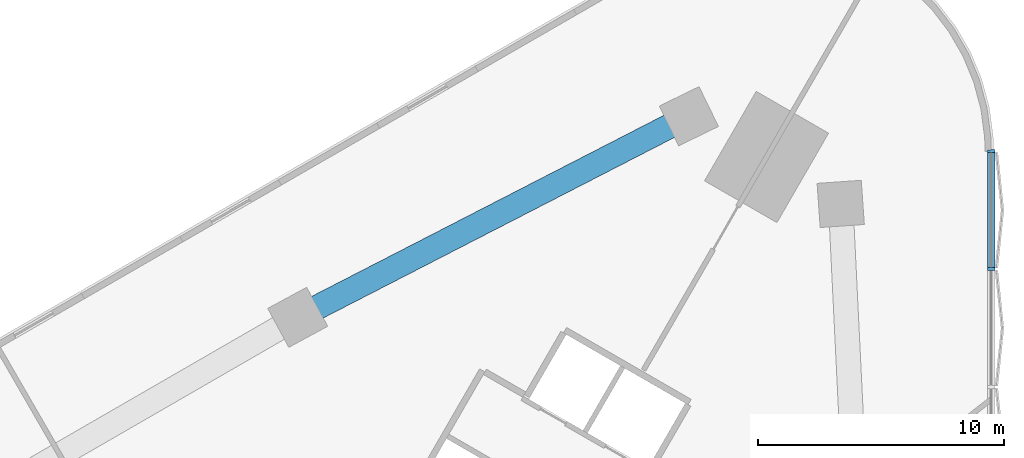
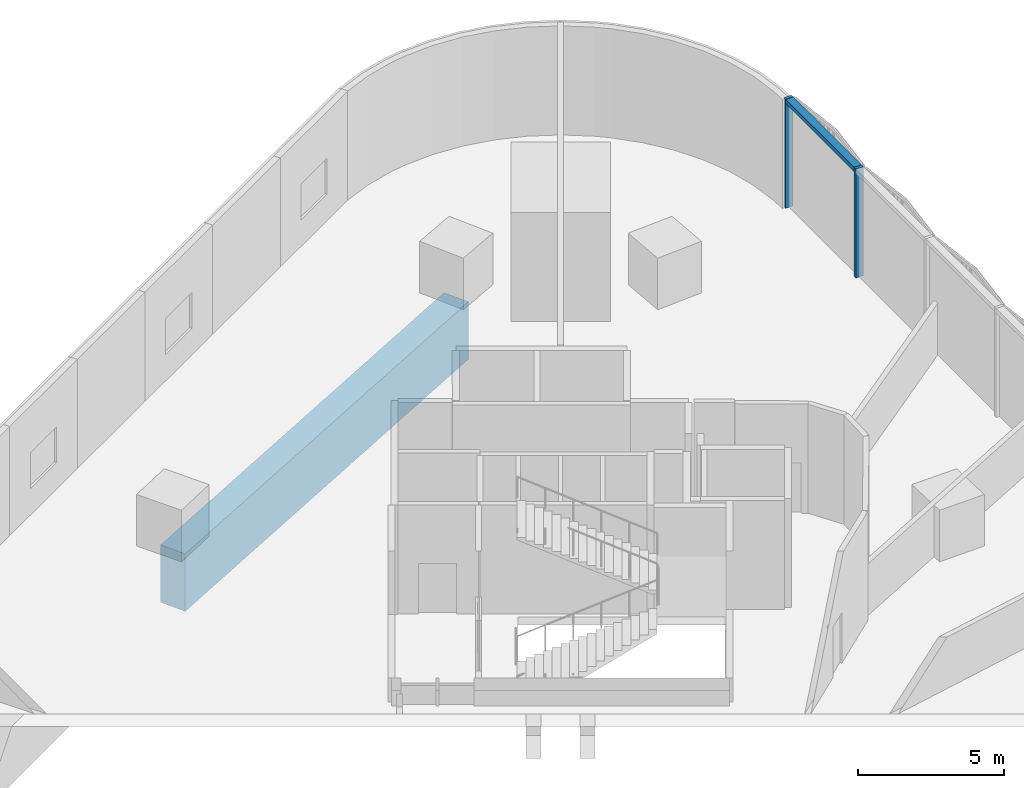
# One storey, part 9 of 24: 3 members, 1 beam, 1 element without a shape of its own.
"""IFC4 building model written with IfcOpenShell, lengths in metres."""

from ifc_helpers import new_model, si_unit, direction, frame, origin, origin_2d, place, context, subcontext, project, spatial, rectangle, extrude, material, material_profile, profile_set, type_object, element, aggregate, save


model = new_model("IFC4")

# Units and contexts
model_context = context("Model", 3, precision=1e-05, world=origin(), true_north=direction((0.0, 1.0)))
body_context = subcontext(model_context, "Body", "Model", "MODEL_VIEW")
ifc_project = project(units=[si_unit("LENGTHUNIT", "METRE"), si_unit("AREAUNIT", "SQUARE_METRE"), si_unit("VOLUMEUNIT", "CUBIC_METRE"), si_unit("PLANEANGLEUNIT", "RADIAN"), si_unit("MASSUNIT", "GRAM", prefix="KILO")], contexts=[model_context])

# Site, building, storey
site_placement = place(None, origin())
site = spatial("IfcSite", under=ifc_project, at=site_placement, CompositionType="ELEMENT")
building_placement = place(site_placement, origin())
building = spatial("IfcBuilding", under=site, at=building_placement, Name="Tamra Quay Hotel Tower", CompositionType="ELEMENT")
storey_placement = place(building_placement, frame((0.0, 0.0, 19.5)))
storey = spatial("IfcBuildingStorey", under=building, at=storey_placement, Name="L03", CompositionType="ELEMENT", Elevation=19.5)

# Curtain wall, members
ifc_material_1 = material(Name="Aluminium 6063 anodised dark grey", Category="aluminium")
curtain_wall_type = type_object("IfcCurtainWallType", Name="CW4 CURTAIN WALL", PredefinedType="NOTDEFINED", material=ifc_material_1)
curtain_wall_placement = place(storey_placement, origin())
curtain_wall = element("IfcCurtainWall", 1, at=curtain_wall_placement, inside=storey, type_object=curtain_wall_type, Name="CW4 east face L03", PredefinedType="NOTDEFINED")
ifc_material_profile_1 = material_profile(ifc_material_1, rectangle(XDim=0.300048828125, YDim=0.1201171875, at=origin_2d()), Name="MULLION 120X300")
ifc_profile_set_1 = profile_set([ifc_material_profile_1], Name="Aluminium 6063 anodised dark grey")
member_type_1 = type_object("IfcMemberType", Name="MULLION CW4", PredefinedType="MULLION", material=ifc_profile_set_1)
member_1_placement = place(storey_placement, frame((27.0, 26.38037109375, 0.0), z_axis=(0.0, 0.0, 1.0), x_axis=(1.0, 0.0, 0.0)))
member_1 = element("IfcMember", 2, at=member_1_placement, type_object=member_type_1, Name="CW4 mullion L03.E.17", PredefinedType="MULLION", context=body_context, shape_type="SweptSolid", body=[
    extrude(rectangle(XDim=0.300048828125, YDim=0.1201171875, at=origin_2d()), origin(), (0.0, 0.0, 1.0), 4.550048828125),
])
member_2_placement = place(storey_placement, frame((27.0, 31.177001953125, 0.0), z_axis=(0.0, 0.0, 1.0), x_axis=(0.99986613791, 0.016361731626, 0.0)))
member_2 = element("IfcMember", 3, at=member_2_placement, type_object=member_type_1, Name="CW4 mullion L03.E.18", PredefinedType="MULLION", context=body_context, shape_type="SweptSolid", body=[
    extrude(rectangle(XDim=0.300048828125, YDim=0.1201171875, at=origin_2d()), origin(), (0.0, 0.0, 1.0), 4.550048828125),
])

# Beam
ifc_material_2 = material(Name="Concrete M60", Category="concrete")
ifc_material_profile_2 = material_profile(ifc_material_2, rectangle(XDim=1.0, YDim=2.39990234375, at=origin_2d()), Name="PODIUM RING GIRDER RC 1000x2400")
ifc_profile_set_2 = profile_set([ifc_material_profile_2], Name="Concrete M60")
beam_type = type_object("IfcBeamType", Name="PODIUM RING GIRDER RC 1000x2400", PredefinedType="BEAM", material=ifc_profile_set_2)
beam_placement = place(storey_placement, frame((14.70458984375, 32.5986328125, -1.550048828125), z_axis=(-0.889334920836, -0.457256381673, 0.0), x_axis=(0.457256381673, -0.889334920836, 0.0)))
element("IfcBeam", 4, at=beam_placement, inside=storey, type_object=beam_type, Name="BM-PG004-L03", PredefinedType="BEAM", context=body_context, shape_type="SweptSolid", body=[
    extrude(rectangle(XDim=1.0, YDim=2.39990234375, at=origin_2d()), origin(), (0.0, 0.0, 1.0), 17.880615234375),
])

# Member
ifc_material_profile_3 = material_profile(ifc_material_1, rectangle(XDim=0.300048828125, YDim=0.179931640625, at=origin_2d()), Name="TRANSOM 300X180")
ifc_profile_set_3 = profile_set([ifc_material_profile_3], Name="Aluminium 6063 anodised dark grey")
member_type_2 = type_object("IfcMemberType", Name="TRANSOM CW4", PredefinedType="USERDEFINED", material=ifc_profile_set_3)
member_3_placement = place(storey_placement, frame((27.0, 26.4404296875, 4.4599609375), z_axis=(0.0, 1.0, 0.0), x_axis=(-1.0, 0.0, 0.0)))
member_3 = element("IfcMember", 5, at=member_3_placement, type_object=member_type_2, Name="CW4 transom L03.E.17", ObjectType="TRANSOM", PredefinedType="USERDEFINED", context=body_context, shape_type="SweptSolid", body=[
    extrude(rectangle(XDim=0.300048828125, YDim=0.179931640625, at=origin_2d()), origin(), (0.0, 0.0, 1.0), 4.676513671875),
])

aggregate(curtain_wall, [member_1, member_3, member_2])

save(model, "model.ifc")
